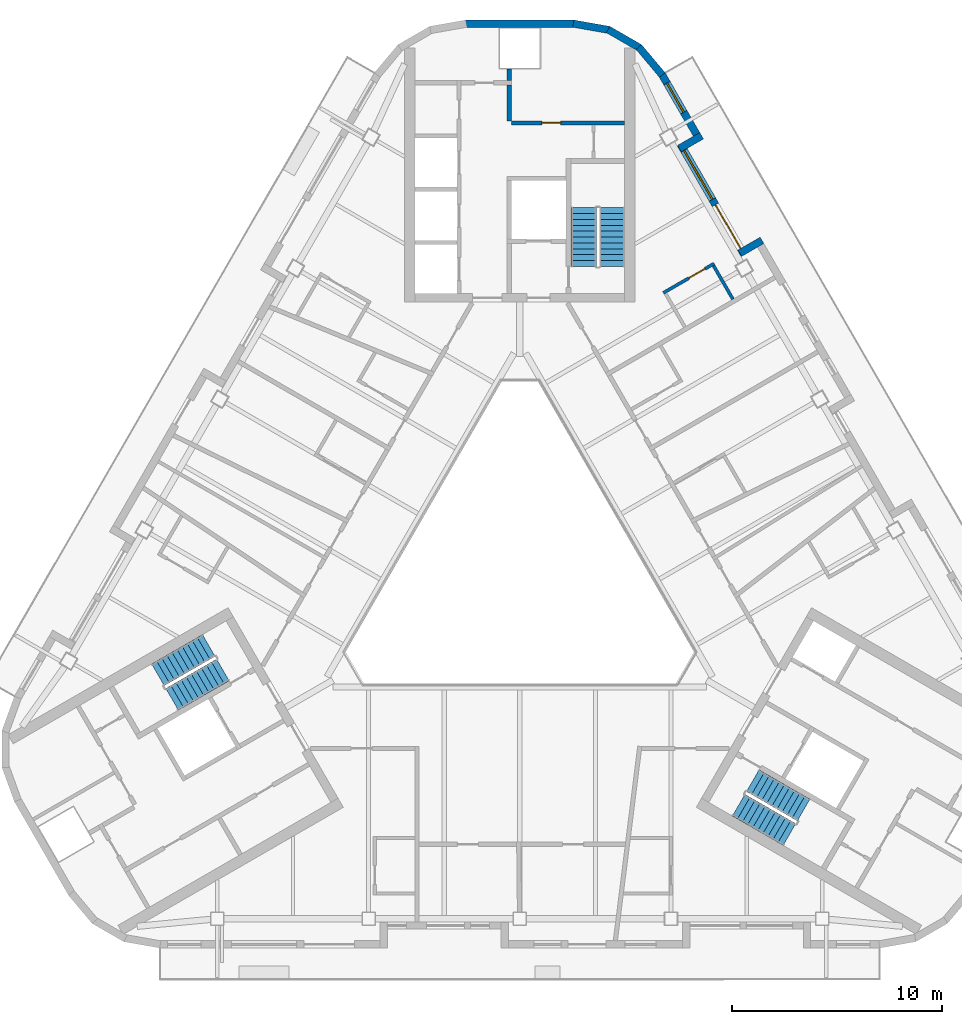
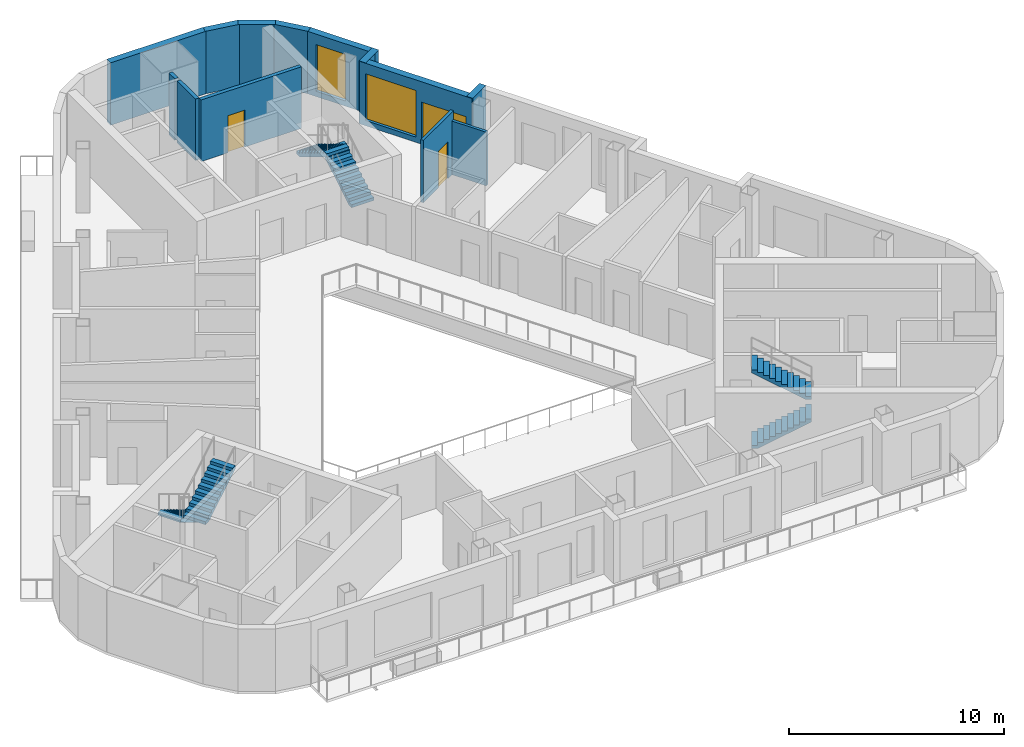
# One storey, part 8 of 13: 13 walls, 6 stair flights, 3 doors, 2 windows, 5 openings, 3 elements without a shape of their own.
"""IFC4 building model written with IfcOpenShell, lengths in metres."""

import ifcopenshell
import ifcopenshell.guid

model = None  # the IFC model being written
_history = None  # IfcOwnerHistory: only IFC2X3 demands one
_inside = {}  # id of a spatial element -> (the spatial element, [elements in it])
_under = {}  # id of a project, library or spatial element -> (it, [spatial elements below it])
_declared = {}  # id of a project -> (the project, [libraries it declares])
_typed = {}  # id of a type object -> (the type object, [elements of that type])
_made_of = {}  # id of a material, layer set ... -> (it, [elements and type objects made of it])


def new_model(schema):
    """Start an empty IFC model of exactly this schema.

    Asked for "IFC4X3", IfcOpenShell would pick the latest addendum, in which some entities
    have other attributes; the version numbers below select the first issue.
    IFC2X3 requires an IfcOwnerHistory on every rooted entity: one is made here for all.
    """
    global model, _history
    if schema == "IFC4X3":
        model = ifcopenshell.file(schema_version=(4, 3, 0, 0))
    else:
        model = ifcopenshell.file(schema=schema)
    _inside.clear()
    _under.clear()
    _declared.clear()
    _typed.clear()
    _made_of.clear()
    _history = None
    if model.schema == "IFC2X3":
        org = make("IfcOrganization", Name="unknown")
        user = make(
            "IfcPersonAndOrganization",
            ThePerson=make("IfcPerson", FamilyName="unknown"),
            TheOrganization=org,
        )
        app = make(
            "IfcApplication",
            ApplicationDeveloper=org,
            Version="unknown",
            ApplicationFullName="unknown",
            ApplicationIdentifier="unknown",
        )
        _history = make(
            "IfcOwnerHistory",
            OwningUser=user,
            OwningApplication=app,
            ChangeAction="ADDED",
            CreationDate=0,
        )
    return model


def make(cls, **values):
    """One entity of the class cls with the attributes given. An attribute that is None is left unset."""
    return model.create_entity(
        cls, **{name: value for name, value in values.items() if value is not None}
    )


def rooted(cls, **values):
    """An entity with a GlobalId (a new one), such as an element, a storey or a relation."""
    return make(cls, GlobalId=ifcopenshell.guid.new(), OwnerHistory=_history, **values)


def si_unit(unit_type, name, prefix=None):
    """IfcSIUnit, for example si_unit("LENGTHUNIT", "METRE", prefix="MILLI")."""
    return make("IfcSIUnit", UnitType=unit_type, Prefix=prefix, Name=name)


def assignment(units):
    """IfcUnitAssignment: the units of a project."""
    return None if units is None else make("IfcUnitAssignment", Units=units)


def point(xyz):
    """IfcCartesianPoint."""
    return None if xyz is None else make("IfcCartesianPoint", Coordinates=xyz)


def direction(xyz):
    """IfcDirection."""
    return None if xyz is None else make("IfcDirection", DirectionRatios=xyz)


def frame(location, z_axis=None, x_axis=None):
    """IfcAxis2Placement3D, a coordinate frame: its origin and axes. An axis left out is left unset."""
    return make(
        "IfcAxis2Placement3D",
        Location=point(location),
        Axis=direction(z_axis),
        RefDirection=direction(x_axis),
    )


def frame_2d(location, x_axis=None):
    """IfcAxis2Placement2D, a coordinate frame in the plane: its origin and x axis."""
    return make(
        "IfcAxis2Placement2D", Location=point(location), RefDirection=direction(x_axis)
    )


def origin():
    """The frame at (0, 0, 0) with its axes left unset."""
    return frame((0.0, 0.0, 0.0))


def place(relative_to, where):
    """IfcLocalPlacement: puts the frame where relative to a parent placement (None: the world)."""
    return make(
        "IfcLocalPlacement", PlacementRelTo=relative_to, RelativePlacement=where
    )


def context(
    kind, dimensions, precision=None, world=None, true_north=None, identifier=None
):
    """IfcGeometricRepresentationContext, for example the 3D "Model" context."""
    return make(
        "IfcGeometricRepresentationContext",
        ContextIdentifier=identifier,
        ContextType=kind,
        CoordinateSpaceDimension=dimensions,
        Precision=precision,
        WorldCoordinateSystem=world,
        TrueNorth=true_north,
    )


def subcontext(parent, identifier, kind, view, scale=None):
    """IfcGeometricRepresentationSubContext, for example "Body" below "Model"."""
    return make(
        "IfcGeometricRepresentationSubContext",
        ContextIdentifier=identifier,
        ContextType=kind,
        ParentContext=parent,
        TargetScale=scale,
        TargetView=view,
    )


def project(units=None, contexts=None):
    """IfcProject with its units and contexts."""
    return rooted(
        "IfcProject",
        Name="project",
        RepresentationContexts=contexts,
        UnitsInContext=assignment(units),
    )


def spatial(cls, under=None, at=None, **own):
    """A site, building, storey or space (cls), placed at a placement, below another one or the project."""
    s = rooted(cls, ObjectPlacement=at, **own)
    if under is not None:
        _under.setdefault(under.id(), (under, []))[1].append(s)
    return s


def polyline(points):
    """IfcPolyline through the points."""
    return make("IfcPolyline", Points=[point(p) for p in points])


def profile(cls, at=None, kind="AREA", **sizes):
    """A parametric profile (cls). Its sizes go by their IFC names, for example OverallWidth=200.0."""
    return make(cls, ProfileType=kind, Position=at, **sizes)


def rectangle(**sizes):
    """IfcRectangleProfileDef."""
    return profile("IfcRectangleProfileDef", **sizes)


def outline(outer, holes=None, kind="AREA"):
    """IfcArbitraryClosedProfileDef: a profile drawn as a closed curve; with holes, ...WithVoids."""
    if holes is None:
        return make("IfcArbitraryClosedProfileDef", ProfileType=kind, OuterCurve=outer)
    return make(
        "IfcArbitraryProfileDefWithVoids",
        ProfileType=kind,
        OuterCurve=outer,
        InnerCurves=holes,
    )


def extrude(swept, where, along, depth):
    """IfcExtrudedAreaSolid: the profile swept, set in the frame where, extruded along a direction by depth."""
    return make(
        "IfcExtrudedAreaSolid",
        SweptArea=swept,
        Position=where,
        ExtrudedDirection=direction(along),
        Depth=depth,
    )


def shape(context_of_items, identifier, shape_type, items):
    """IfcShapeRepresentation: the items that make up one representation, for example the "Body"."""
    return make(
        "IfcShapeRepresentation",
        ContextOfItems=context_of_items,
        RepresentationIdentifier=identifier,
        RepresentationType=shape_type,
        Items=items,
    )


def material(Name=None, Category=None):
    """IfcMaterial."""
    return make("IfcMaterial", Name=Name, Category=Category)


def layer(
    of_material, thickness, ventilated=None, Name=None, Category=None, Priority=None
):
    """IfcMaterialLayer: one layer of a wall or slab, of a material (None: an air gap)."""
    return make(
        "IfcMaterialLayer",
        Material=of_material,
        LayerThickness=thickness,
        IsVentilated=ventilated,
        Name=Name,
        Category=Category,
        Priority=Priority,
    )


def layer_set(layers, Name=None):
    """IfcMaterialLayerSet."""
    return make("IfcMaterialLayerSet", MaterialLayers=layers, LayerSetName=Name)


def made_of(thing, what):
    """Note that an element or type object is made of a material, layer set ...; save() writes the relation."""
    if what is not None:
        _made_of.setdefault(what.id(), (what, []))[1].append(thing)
    return thing


def type_object(cls, material=None, **own):
    """A type object (cls), such as IfcWallType, which elements share."""
    return made_of(rooted(cls, **own), material)


def element(
    cls,
    number,
    at=None,
    inside=None,
    cuts=None,
    type_object=None,
    material=None,
    context=None,
    identifier="Body",
    shape_type=None,
    held_by="IfcProductDefinitionShape",
    body=None,
    shapes=None,
    **own,
):
    """One element of the class cls, such as IfcWall. Its Tag is "e" and its number.

    at: its placement. inside: the storey or other place that contains it. cuts: it is an
    opening in that element (IfcRelVoidsElement). A single representation is given by context,
    identifier, shape_type and body (its items); several are given by shapes. held_by: the class
    of the entity that holds the representations. save() writes the other relations.
    """
    e = rooted(cls, Tag="e%d" % number, ObjectPlacement=at, **own)
    if body is not None:
        shapes = [shape(context, identifier, shape_type, body)]
    if shapes is not None:
        e.Representation = make(held_by, Representations=shapes)
    if inside is not None:
        _inside.setdefault(inside.id(), (inside, []))[1].append(e)
    if cuts is not None:
        rooted(
            "IfcRelVoidsElement", RelatingBuildingElement=cuts, RelatedOpeningElement=e
        )
    if type_object is not None:
        _typed.setdefault(type_object.id(), (type_object, []))[1].append(e)
    return made_of(e, material)


def fill(opening, filler):
    """IfcRelFillsElement: the door or window that sits in an opening."""
    return rooted(
        "IfcRelFillsElement",
        RelatingOpeningElement=opening,
        RelatedBuildingElement=filler,
    )


def aggregate(whole, parts):
    """IfcRelAggregates: a whole, such as a stair, and the parts it consists of."""
    return rooted("IfcRelAggregates", RelatingObject=whole, RelatedObjects=parts)


def save(model, path):
    """Write the relations noted so far, then the file.

    IfcRelAggregates (storeys below a building ...), IfcRelContainedInSpatialStructure (elements
    in a storey), IfcRelDefinesByType, IfcRelAssociatesMaterial and IfcRelDeclares: one each for
    every whole, place, type object, material and project.
    """
    for whole, parts in _under.values():
        aggregate(whole, parts)
    for where, things in _inside.values():
        rooted(
            "IfcRelContainedInSpatialStructure",
            RelatedElements=things,
            RelatingStructure=where,
        )
    for kind, things in _typed.values():
        rooted("IfcRelDefinesByType", RelatedObjects=things, RelatingType=kind)
    for what, things in _made_of.values():
        rooted("IfcRelAssociatesMaterial", RelatedObjects=things, RelatingMaterial=what)
    for by, libraries in _declared.values():
        rooted("IfcRelDeclares", RelatingContext=by, RelatedDefinitions=libraries)
    model.write(path)


model = new_model("IFC4")

# Units and contexts
model_context = context("Model", 3, precision=1e-05, world=origin(), true_north=direction((0.0, 1.0)))
body_context = subcontext(model_context, "Body", "Model", "MODEL_VIEW")
ifc_project = project(units=[si_unit("LENGTHUNIT", "METRE"), si_unit("AREAUNIT", "SQUARE_METRE"), si_unit("VOLUMEUNIT", "CUBIC_METRE"), si_unit("PLANEANGLEUNIT", "RADIAN"), si_unit("MASSUNIT", "GRAM", prefix="KILO")], contexts=[model_context])

# Site, building, storey
site_placement = place(None, origin())
site = spatial("IfcSite", under=ifc_project, at=site_placement, CompositionType="ELEMENT")
building_placement = place(site_placement, origin())
building = spatial("IfcBuilding", under=site, at=building_placement, Name="Apuvela Tower Hotel", CompositionType="ELEMENT")
storey_placement = place(building_placement, frame((0.0, 0.0, 283.699951171875)))
storey = spatial("IfcBuildingStorey", under=building, at=storey_placement, Name="L70", CompositionType="ELEMENT", Elevation=283.699951171875)

# Wall, opening, door
ifc_material_1 = material(Name="Blockwork 200 mm plastered", Category="masonry")
ifc_layer_1 = layer(ifc_material_1, 0.199951171875)
ifc_layer_set_1 = layer_set([ifc_layer_1], Name="COR-WALL-PART-200")
wall_type_1 = type_object("IfcWallType", Name="COR-WALL-PART-200", PredefinedType="PARTITIONING", material=ifc_layer_set_1)
wall_1_placement = place(storey_placement, frame((5.0, 21.449951171875, 0.0), z_axis=(0.0, 0.0, 1.0), x_axis=(-1.0, 0.0, 0.0)))
wall_1 = element("IfcWall", 1, at=wall_1_placement, inside=storey, type_object=wall_type_1, Name="Partition N", PredefinedType="PARTITIONING", context=body_context, shape_type="SweptSolid", body=[
    extrude(rectangle(XDim=5.39990234375, YDim=0.199951171875, at=frame_2d((2.699951171875, 0.0))), origin(), (0.0, 0.0, 1.0), 3.5),
])
opening_1_placement = place(wall_1_placement, frame((3.050048828125, 0.0, 0.0)))
opening_1 = element("IfcOpeningElement", 2, at=opening_1_placement, cuts=wall_1, Name="Opening N-RS1", PredefinedType="OPENING", context=body_context, shape_type="SweptSolid", body=[
    extrude(rectangle(XDim=0.89990234375, YDim=2.10009765625, at=frame_2d((0.449951171875, 1.050048828125))), frame((0.0, 0.10986328125, 0.0), z_axis=(0.0, -1.0, 0.0), x_axis=(1.0, 0.0, 0.0)), (0.0, 0.0, 1.0), 0.219970703125),
])
ifc_material_2 = material(Name="Steel fire door, powder coated", Category="steel")
door_type_1 = type_object("IfcDoorType", Name="COR-DR-900", OperationType="NOTDEFINED", PredefinedType="DOOR", material=ifc_material_2)
door_1_placement = place(opening_1_placement, frame((0.89990234375, 0.0, 0.0), z_axis=(0.0, 0.0, 1.0), x_axis=(-1.0, 0.0, 0.0)))
door_1 = element("IfcDoor", 3, at=door_1_placement, inside=storey, type_object=door_type_1, Name="Store door N-RS1", OperationType="SINGLE_SWING_LEFT", OverallHeight=2.10009765625, OverallWidth=0.89990234375, PredefinedType="DOOR", context=body_context, shape_type="SweptSolid", body=[
    extrude(rectangle(XDim=0.89990234375, YDim=2.10009765625, at=frame_2d((0.449951171875, 1.050048828125))), frame((0.0, 0.02490234375, 0.0), z_axis=(0.0, -1.0, 0.0), x_axis=(1.0, 0.0, 0.0)), (0.0, 0.0, 1.0), 0.050048828125),
])
fill(opening_1, door_1)

# Walls
ifc_material_3 = material(Name="Concrete C50/60", Category="concrete")
ifc_layer_2 = layer(ifc_material_3, 0.199951171875)
ifc_layer_set_2 = layer_set([ifc_layer_2], Name="COR-WALL-SHAFT-200")
wall_type_2 = type_object("IfcWallType", Name="COR-WALL-SHAFT-200", PredefinedType="SHEAR", material=ifc_layer_set_2)
wall_2_placement = place(storey_placement, frame((-0.5, 21.550048828125, 0.0), z_axis=(0.0, 0.0, 1.0), x_axis=(0.0, 1.0, 0.0)))
element("IfcWall", 4, at=wall_2_placement, inside=storey, type_object=wall_type_2, Name="Shaft wall N", PredefinedType="SHEAR", context=body_context, shape_type="SweptSolid", body=[
    extrude(rectangle(XDim=1.7099609375, YDim=0.199951171875, at=frame_2d((0.85498046875, 0.0))), origin(), (0.0, 0.0, 1.0), 3.5),
])
wall_3_placement = place(storey_placement, frame((-0.5, 23.4599609375, 0.0), z_axis=(0.0, 0.0, 1.0), x_axis=(0.0, 1.0, 0.0)))
element("IfcWall", 5, at=wall_3_placement, inside=storey, type_object=wall_type_2, Name="Shaft wall N", PredefinedType="SHEAR", context=body_context, shape_type="SweptSolid", body=[
    extrude(rectangle(XDim=0.548828125, YDim=0.199951171875, at=frame_2d((0.2744140625, 0.0))), origin(), (0.0, 0.0, 1.0), 3.5),
])
ifc_material_4 = material(Name="Concrete C40/50, dark pigmented precast panel", Category="concrete")
ifc_layer_3 = layer(ifc_material_4, 0.35009765625)
ifc_layer_set_3 = layer_set([ifc_layer_3], Name="ENV-WALL-350")
wall_type_3 = type_object("IfcWallType", Name="ENV-WALL-350", PredefinedType="SOLIDWALL", material=ifc_layer_set_3)
wall_4_placement = place(storey_placement, frame((11.556640625, 15.841064453125, 0.0), z_axis=(0.0, 0.0, 1.0), x_axis=(-0.866005645448, -0.500034220881, 0.0)))
element("IfcWall", 6, at=wall_4_placement, inside=storey, type_object=wall_type_3, Name="External wall L70-38", PredefinedType="SOLIDWALL", context=body_context, shape_type="SweptSolid", body=[
    extrude(rectangle(XDim=1.22021484375, YDim=0.35009765625, at=frame_2d((0.610107421875, 0.0))), origin(), (0.0, 0.0, 1.0), 3.550048828125),
])

# Wall, openings, door, window
wall_5_placement = place(storey_placement, frame((10.697998046875, 15.177978515625, 0.0), z_axis=(0.0, 0.0, 1.0), x_axis=(-0.499985371027, 0.866033849661, 0.0)))
wall_5 = element("IfcWall", 7, at=wall_5_placement, inside=storey, type_object=wall_type_3, Name="External wall L70-39", PredefinedType="SOLIDWALL", context=body_context, shape_type="SweptSolid", body=[
    extrude(rectangle(XDim=6.055419921875, YDim=0.35009765625, at=frame_2d((3.02783203125, 0.0))), origin(), (0.0, 0.0, 1.0), 3.550048828125),
])
opening_2_placement = place(wall_5_placement, frame((0.320068359375, 0.0, 0.0)))
opening_2 = element("IfcOpeningElement", 8, at=opening_2_placement, cuts=wall_5, Name="Opening BD24", PredefinedType="OPENING", context=body_context, shape_type="SweptSolid", body=[
    extrude(rectangle(XDim=2.39990234375, YDim=2.39990234375, at=frame_2d((1.199951171875, 1.199951171875))), frame((0.0, 0.18505859375, 0.0), z_axis=(0.0, -1.0, 0.0), x_axis=(1.0, 0.0, 0.0)), (0.0, 0.0, 1.0), 0.3701171875),
])
opening_3_placement = place(wall_5_placement, frame((3.02001953125, 0.0, 0.300048828125)))
opening_3 = element("IfcOpeningElement", 9, at=opening_3_placement, cuts=wall_5, Name="Opening WN27", PredefinedType="OPENING", context=body_context, shape_type="SweptSolid", body=[
    extrude(rectangle(XDim=2.699951171875, YDim=2.64990234375, at=frame_2d((1.35009765625, 1.324951171875))), frame((0.0, 0.18505859375, 0.0), z_axis=(0.0, -1.0, 0.0), x_axis=(1.0, 0.0, 0.0)), (0.0, 0.0, 1.0), 0.3701171875),
])
ifc_material_5 = material(Name="Aluminium 6063-T6, dark bronze anodised frame with dark tinted laminated glass", Category="aluminium")
door_type_2 = type_object("IfcDoorType", Name="ENV-DOOR-BALCONY-2400x2400", OperationType="SLIDING_TO_LEFT", PredefinedType="DOOR", material=ifc_material_5)
door_2_placement = place(opening_2_placement, frame((2.39990234375, 0.0, 0.0), z_axis=(0.0, 0.0, 1.0), x_axis=(-1.0, 0.0, 0.0)))
door_2 = element("IfcDoor", 10, at=door_2_placement, inside=storey, type_object=door_type_2, Name="Balcony door BD24", OperationType="SLIDING_TO_LEFT", OverallHeight=2.39990234375, OverallWidth=2.39990234375, PredefinedType="DOOR", context=body_context, shape_type="SweptSolid", body=[
    extrude(rectangle(XDim=2.39990234375, YDim=2.39990234375, at=frame_2d((1.199951171875, 1.199951171875))), frame((0.0, 0.02490234375, 0.0), z_axis=(0.0, -1.0, 0.0), x_axis=(1.0, 0.0, 0.0)), (0.0, 0.0, 1.0), 0.050048828125),
])
fill(opening_2, door_2)
ifc_material_6 = material(Name="Glass, dark tinted laminated insulated glazing unit", Category="glass")
window_type_1 = type_object("IfcWindowType", Name="ENV-WIN-2700x2650", PartitioningType="SINGLE_PANEL", PredefinedType="WINDOW", material=ifc_material_6)
window_1_placement = place(opening_3_placement, origin())
window_1 = element("IfcWindow", 11, at=window_1_placement, inside=storey, type_object=window_type_1, Name="Window WN27", OverallHeight=2.64990234375, OverallWidth=2.699951171875, PartitioningType="SINGLE_PANEL", PredefinedType="WINDOW", context=body_context, shape_type="SweptSolid", body=[
    extrude(rectangle(XDim=2.699951171875, YDim=2.64990234375, at=frame_2d((1.35009765625, 1.324951171875))), frame((0.0, 0.030029296875, 0.0), z_axis=(0.0, -1.0, 0.0), x_axis=(1.0, 0.0, 0.0)), (0.0, 0.0, 1.0), 0.06005859375),
])
fill(opening_3, window_1)

# Wall
wall_6_placement = place(storey_placement, frame((7.6171875, 20.223876953125, 0.0), z_axis=(0.0, 0.0, 1.0), x_axis=(0.866005645448, 0.500034220881, 0.0)))
element("IfcWall", 12, at=wall_6_placement, inside=storey, type_object=wall_type_3, Name="External wall L70-40", PredefinedType="SOLIDWALL", context=body_context, shape_type="SweptSolid", body=[
    extrude(rectangle(XDim=1.22021484375, YDim=0.35009765625, at=frame_2d((0.610107421875, 0.0))), origin(), (0.0, 0.0, 1.0), 3.550048828125),
])

# Wall, opening, window
wall_7_placement = place(storey_placement, frame((8.60986328125, 20.5947265625, 0.0), z_axis=(0.0, 0.0, 1.0), x_axis=(-0.499990402704, 0.866030944715, 0.0)))
wall_7 = element("IfcWall", 13, at=wall_7_placement, inside=storey, type_object=wall_type_3, Name="External wall L70-41", PredefinedType="SOLIDWALL", context=body_context, shape_type="SweptSolid", body=[
    extrude(rectangle(XDim=3.654296875, YDim=0.35009765625, at=frame_2d((1.8271484375, 0.0))), origin(), (0.0, 0.0, 1.0), 3.550048828125),
])
opening_4_placement = place(wall_7_placement, frame((1.5751953125, 0.0, 0.300048828125)))
opening_4 = element("IfcOpeningElement", 14, at=opening_4_placement, cuts=wall_7, Name="Opening WN16", PredefinedType="OPENING", context=body_context, shape_type="SweptSolid", body=[
    extrude(rectangle(XDim=1.60009765625, YDim=2.64990234375, at=frame_2d((0.800048828125, 1.324951171875))), frame((0.0, 0.18505859375, 0.0), z_axis=(0.0, -1.0, 0.0), x_axis=(1.0, 0.0, 0.0)), (0.0, 0.0, 1.0), 0.3701171875),
])
window_type_2 = type_object("IfcWindowType", Name="ENV-WIN-1600x2650", PartitioningType="SINGLE_PANEL", PredefinedType="WINDOW", material=ifc_material_6)
window_2_placement = place(opening_4_placement, origin())
window_2 = element("IfcWindow", 15, at=window_2_placement, inside=storey, type_object=window_type_2, Name="Window WN16", OverallHeight=2.64990234375, OverallWidth=1.60009765625, PartitioningType="SINGLE_PANEL", PredefinedType="WINDOW", context=body_context, shape_type="SweptSolid", body=[
    extrude(rectangle(XDim=1.60009765625, YDim=2.64990234375, at=frame_2d((0.800048828125, 1.324951171875))), frame((0.0, 0.030029296875, 0.0), z_axis=(0.0, -1.0, 0.0), x_axis=(1.0, 0.0, 0.0)), (0.0, 0.0, 1.0), 0.06005859375),
])
fill(opening_4, window_2)

# Walls
for number, where, z_axis, x_axis, name in (
    (16, (6.800048828125, 23.734619140625, 0.0), (0.0, 0.0, 1.0), (-0.642768607723, 0.766060387258, 0.0), "External wall L70-42"),
    (17, (5.725341796875, 25.031982421875, 0.0), (0.0, 0.0, 1.0), (-0.866038783226, 0.499976825411, 0.0), "External wall L70-43"),
    (18, (4.271484375, 25.883544921875, 0.0), (0.0, 0.0, 1.0), (-0.984803276474, 0.173673563465, 0.0), "External wall L70-44"),
):
    element("IfcWall", number, at=place(storey_placement, frame(where, z_axis=z_axis, x_axis=x_axis)), inside=storey, type_object=wall_type_3, Name=name, PredefinedType="SOLIDWALL", context=body_context, shape_type="SweptSolid", body=[
        extrude(rectangle(XDim=1.74462890625, YDim=0.35009765625, at=frame_2d((0.872314453125, 0.0))), origin(), (0.0, 0.0, 1.0), 3.550048828125),
    ])
wall_8_placement = place(storey_placement, frame((2.583740234375, 26.183837890625, 0.0), z_axis=(0.0, 0.0, 1.0), x_axis=(-1.0, 0.0, 0.0)))
element("IfcWall", 19, at=wall_8_placement, inside=storey, type_object=wall_type_3, Name="External wall L70-45", PredefinedType="SOLIDWALL", context=body_context, shape_type="SweptSolid", body=[
    extrude(rectangle(XDim=5.16748046875, YDim=0.35009765625, at=frame_2d((2.583740234375, 0.0))), origin(), (0.0, 0.0, 1.0), 3.550048828125),
])

# Wall, opening, door
ifc_material_7 = material(Name="Moisture-resistant gypsum board wet wall on steel stud", Category="steel")
ifc_layer_4 = layer(ifc_material_7, 0.14990234375)
ifc_layer_set_4 = layer_set([ifc_layer_4], Name="GST-PW3")
wall_type_4 = type_object("IfcWallType", Name="GST-PW3", PredefinedType="PARTITIONING", material=ifc_layer_set_4)
wall_9_placement = place(storey_placement, frame((9.2744140625, 14.736572265625, 0.0), z_axis=(0.0, 0.0, 1.0), x_axis=(-0.866018616679, -0.500011755427, 0.0)))
wall_9 = element("IfcWall", 20, at=wall_9_placement, inside=storey, type_object=wall_type_4, Name="L70 partition 36", PredefinedType="PARTITIONING", context=body_context, shape_type="SweptSolid", body=[
    extrude(rectangle(XDim=2.80029296875, YDim=0.14990234375, at=frame_2d((1.400146484375, 0.0))), origin(), (0.0, 0.0, 1.0), 3.550048828125),
])
opening_5_placement = place(wall_9_placement, frame((0.5, 0.0, 0.0)))
opening_5 = element("IfcOpeningElement", 21, at=opening_5_placement, cuts=wall_9, Name="Opening GD28-15", PredefinedType="OPENING", context=body_context, shape_type="SweptSolid", body=[
    extrude(rectangle(XDim=0.89990234375, YDim=2.10009765625, at=frame_2d((0.449951171875, 1.050048828125))), frame((0.0, 0.0849609375, 0.0), z_axis=(0.0, -1.0, 0.0), x_axis=(1.0, 0.0, 0.0)), (0.0, 0.0, 1.0), 0.169921875),
])
ifc_material_8 = material(Name="Timber door leaf in steel frame", Category="steel")
door_type_3 = type_object("IfcDoorType", Name="GST-D2", OperationType="NOTDEFINED", PredefinedType="DOOR", material=ifc_material_8)
door_3_placement = place(opening_5_placement, origin())
door_3 = element("IfcDoor", 22, at=door_3_placement, inside=storey, type_object=door_type_3, Name="Door L70-15", OperationType="SINGLE_SWING_LEFT", OverallHeight=2.10009765625, OverallWidth=0.89990234375, PredefinedType="DOOR", context=body_context, shape_type="SweptSolid", body=[
    extrude(rectangle(XDim=0.89990234375, YDim=2.10009765625, at=frame_2d((0.449951171875, 1.050048828125))), frame((0.0, 0.02490234375, 0.0), z_axis=(0.0, -1.0, 0.0), x_axis=(1.0, 0.0, 0.0)), (0.0, 0.0, 1.0), 0.050048828125),
])
fill(opening_5, door_3)

# Wall
wall_10_placement = place(storey_placement, frame((10.171875, 13.031982421875, 0.0), z_axis=(0.0, 0.0, 1.0), x_axis=(-0.500042316284, 0.866000971088, 0.0)))
element("IfcWall", 23, at=wall_10_placement, inside=storey, type_object=wall_type_4, Name="L70 partition 37", PredefinedType="PARTITIONING", context=body_context, shape_type="SweptSolid", body=[
    extrude(rectangle(XDim=1.849853515625, YDim=0.14990234375, at=frame_2d((0.9248046875, 0.0))), origin(), (0.0, 0.0, 1.0), 3.050048828125),
])

# Stair, stair flights
stair_type = type_object("IfcStairType", Name="COR-STAIR-22R", PredefinedType="HALF_TURN_STAIR", material=ifc_material_3)
stair_1_placement = place(storey_placement, origin())
stair_1 = element("IfcStair", 24, at=stair_1_placement, inside=storey, type_object=stair_type, Name="L70 Exit stair ST1", PredefinedType="HALF_TURN_STAIR")
stair_flight_type = type_object("IfcStairFlightType", Name="COR-FLIGHT-11R", PredefinedType="STRAIGHT", material=ifc_material_3)
stair_flight_1_placement = place(storey_placement, frame((4.39990234375, 14.60009765625, 0.0), z_axis=(0.0, 0.0, 1.0), x_axis=(0.0, 1.0, 0.0)))
stair_flight_1 = element("IfcStairFlight", 25, at=stair_flight_1_placement, type_object=stair_flight_type, Name="ST1 flight 1", NumberOfRisers=11, NumberOfTreads=10, PredefinedType="STRAIGHT", RiserHeight=0.168181818, TreadLength=0.28, context=body_context, shape_type="SweptSolid", body=[
    extrude(outline(polyline([(0.0, 0.0), (0.0, 0.168212890625), (0.280029296875, 0.168212890625), (0.280029296875, 0.33642578125), (0.56005859375, 0.33642578125), (0.56005859375, 0.504638671875), (0.840087890625, 0.504638671875), (0.840087890625, 0.672607421875), (1.1201171875, 0.672607421875), (1.1201171875, 0.8408203125), (1.39990234375, 0.8408203125), (1.39990234375, 1.009033203125), (1.679931640625, 1.009033203125), (1.679931640625, 1.17724609375), (1.9599609375, 1.17724609375), (1.9599609375, 1.345458984375), (2.239990234375, 1.345458984375), (2.239990234375, 1.513671875), (2.52001953125, 1.513671875), (2.52001953125, 1.681884765625), (2.800048828125, 1.681884765625), (2.800048828125, 1.85009765625), (2.800048828125, 1.5068359375), (0.291015625, 0.0), (0.0, 0.0)])), frame((0.0, 0.60009765625, 0.0), z_axis=(0.0, -1.0, 0.0), x_axis=(1.0, 0.0, 0.0)), (0.0, 0.0, 1.0), 1.199951171875),
])
stair_flight_2_placement = place(storey_placement, frame((3.050048828125, 17.39990234375, 1.85009765625), z_axis=(0.0, 0.0, 1.0), x_axis=(0.0, -1.0, 0.0)))
stair_flight_2 = element("IfcStairFlight", 26, at=stair_flight_2_placement, type_object=stair_flight_type, Name="ST1 flight 2", NumberOfRisers=11, NumberOfTreads=10, PredefinedType="STRAIGHT", RiserHeight=0.168181818, TreadLength=0.28, context=body_context, shape_type="SweptSolid", body=[
    extrude(outline(polyline([(0.0, 0.0), (0.0, 0.168212890625), (0.280029296875, 0.168212890625), (0.280029296875, 0.33642578125), (0.56005859375, 0.33642578125), (0.56005859375, 0.504638671875), (0.840087890625, 0.504638671875), (0.840087890625, 0.672607421875), (1.1201171875, 0.672607421875), (1.1201171875, 0.8408203125), (1.39990234375, 0.8408203125), (1.39990234375, 1.009033203125), (1.679931640625, 1.009033203125), (1.679931640625, 1.17724609375), (1.9599609375, 1.17724609375), (1.9599609375, 1.345458984375), (2.239990234375, 1.345458984375), (2.239990234375, 1.513671875), (2.52001953125, 1.513671875), (2.52001953125, 1.681884765625), (2.800048828125, 1.681884765625), (2.800048828125, 1.85009765625), (2.800048828125, 1.5068359375), (0.291015625, 0.0), (0.0, 0.0)])), frame((0.0, 0.60009765625, 0.0), z_axis=(0.0, -1.0, 0.0), x_axis=(1.0, 0.0, 0.0)), (0.0, 0.0, 1.0), 1.199951171875),
])
aggregate(stair_1, [stair_flight_1, stair_flight_2])

stair_2_placement = place(storey_placement, origin())
stair_2 = element("IfcStair", 27, at=stair_2_placement, inside=storey, type_object=stair_type, Name="L70 Exit stair ST2", PredefinedType="HALF_TURN_STAIR")
stair_flight_3_placement = place(storey_placement, frame((-14.843994140625, -3.489501953125, 0.0), z_axis=(0.0, 0.0, 1.0), x_axis=(-0.866025403784, -0.5, 0.0)))
stair_flight_3 = element("IfcStairFlight", 28, at=stair_flight_3_placement, type_object=stair_flight_type, Name="ST2 flight 1", NumberOfRisers=11, NumberOfTreads=10, PredefinedType="STRAIGHT", RiserHeight=0.168181818, TreadLength=0.28, context=body_context, shape_type="SweptSolid", body=[
    extrude(outline(polyline([(0.0, 0.0), (0.0, 0.168212890625), (0.280029296875, 0.168212890625), (0.280029296875, 0.33642578125), (0.56005859375, 0.33642578125), (0.56005859375, 0.504638671875), (0.840087890625, 0.504638671875), (0.840087890625, 0.672607421875), (1.1201171875, 0.672607421875), (1.1201171875, 0.8408203125), (1.39990234375, 0.8408203125), (1.39990234375, 1.009033203125), (1.679931640625, 1.009033203125), (1.679931640625, 1.17724609375), (1.9599609375, 1.17724609375), (1.9599609375, 1.345458984375), (2.239990234375, 1.345458984375), (2.239990234375, 1.513671875), (2.52001953125, 1.513671875), (2.52001953125, 1.681884765625), (2.800048828125, 1.681884765625), (2.800048828125, 1.85009765625), (2.800048828125, 1.5068359375), (0.291015625, 0.0), (0.0, 0.0)])), frame((0.0, 0.60009765625, 0.0), z_axis=(0.0, -1.0, 0.0), x_axis=(1.0, 0.0, 0.0)), (0.0, 0.0, 1.0), 1.199951171875),
])
stair_flight_4_placement = place(storey_placement, frame((-16.59375, -6.05859375, 1.85009765625), z_axis=(0.0, 0.0, 1.0), x_axis=(0.866025403784, 0.5, 0.0)))
stair_flight_4 = element("IfcStairFlight", 29, at=stair_flight_4_placement, type_object=stair_flight_type, Name="ST2 flight 2", NumberOfRisers=11, NumberOfTreads=10, PredefinedType="STRAIGHT", RiserHeight=0.168181818, TreadLength=0.28, context=body_context, shape_type="SweptSolid", body=[
    extrude(outline(polyline([(0.0, 0.0), (0.0, 0.168212890625), (0.280029296875, 0.168212890625), (0.280029296875, 0.33642578125), (0.56005859375, 0.33642578125), (0.56005859375, 0.504638671875), (0.840087890625, 0.504638671875), (0.840087890625, 0.672607421875), (1.1201171875, 0.672607421875), (1.1201171875, 0.8408203125), (1.39990234375, 0.8408203125), (1.39990234375, 1.009033203125), (1.679931640625, 1.009033203125), (1.679931640625, 1.17724609375), (1.9599609375, 1.17724609375), (1.9599609375, 1.345458984375), (2.239990234375, 1.345458984375), (2.239990234375, 1.513671875), (2.52001953125, 1.513671875), (2.52001953125, 1.681884765625), (2.800048828125, 1.681884765625), (2.800048828125, 1.85009765625), (2.800048828125, 1.5068359375), (0.291015625, 0.0), (0.0, 0.0)])), frame((0.0, 0.60009765625, 0.0), z_axis=(0.0, -1.0, 0.0), x_axis=(1.0, 0.0, 0.0)), (0.0, 0.0, 1.0), 1.199951171875),
])
aggregate(stair_2, [stair_flight_3, stair_flight_4])

stair_3_placement = place(storey_placement, origin())
stair_3 = element("IfcStair", 30, at=stair_3_placement, inside=storey, type_object=stair_type, Name="L70 Exit stair ST3", PredefinedType="HALF_TURN_STAIR")
stair_flight_5_placement = place(storey_placement, frame((10.444091796875, -11.110595703125, 0.0), z_axis=(0.0, 0.0, 1.0), x_axis=(0.866025403784, -0.5, 0.0)))
stair_flight_5 = element("IfcStairFlight", 31, at=stair_flight_5_placement, type_object=stair_flight_type, Name="ST3 flight 1", NumberOfRisers=11, NumberOfTreads=10, PredefinedType="STRAIGHT", RiserHeight=0.168181818, TreadLength=0.28, context=body_context, shape_type="SweptSolid", body=[
    extrude(outline(polyline([(0.0, 0.0), (0.0, 0.168212890625), (0.280029296875, 0.168212890625), (0.280029296875, 0.33642578125), (0.56005859375, 0.33642578125), (0.56005859375, 0.504638671875), (0.840087890625, 0.504638671875), (0.840087890625, 0.672607421875), (1.1201171875, 0.672607421875), (1.1201171875, 0.8408203125), (1.39990234375, 0.8408203125), (1.39990234375, 1.009033203125), (1.679931640625, 1.009033203125), (1.679931640625, 1.17724609375), (1.9599609375, 1.17724609375), (1.9599609375, 1.345458984375), (2.239990234375, 1.345458984375), (2.239990234375, 1.513671875), (2.52001953125, 1.513671875), (2.52001953125, 1.681884765625), (2.800048828125, 1.681884765625), (2.800048828125, 1.85009765625), (2.800048828125, 1.5068359375), (0.291015625, 0.0), (0.0, 0.0)])), frame((0.0, 0.60009765625, 0.0), z_axis=(0.0, -1.0, 0.0), x_axis=(1.0, 0.0, 0.0)), (0.0, 0.0, 1.0), 1.199951171875),
])
stair_flight_6_placement = place(storey_placement, frame((13.5439453125, -11.34130859375, 1.85009765625), z_axis=(0.0, 0.0, 1.0), x_axis=(-0.866025403784, 0.5, 0.0)))
stair_flight_6 = element("IfcStairFlight", 32, at=stair_flight_6_placement, type_object=stair_flight_type, Name="ST3 flight 2", NumberOfRisers=11, NumberOfTreads=10, PredefinedType="STRAIGHT", RiserHeight=0.168181818, TreadLength=0.28, context=body_context, shape_type="SweptSolid", body=[
    extrude(outline(polyline([(0.0, 0.0), (0.0, 0.168212890625), (0.280029296875, 0.168212890625), (0.280029296875, 0.33642578125), (0.56005859375, 0.33642578125), (0.56005859375, 0.504638671875), (0.840087890625, 0.504638671875), (0.840087890625, 0.672607421875), (1.1201171875, 0.672607421875), (1.1201171875, 0.8408203125), (1.39990234375, 0.8408203125), (1.39990234375, 1.009033203125), (1.679931640625, 1.009033203125), (1.679931640625, 1.17724609375), (1.9599609375, 1.17724609375), (1.9599609375, 1.345458984375), (2.239990234375, 1.345458984375), (2.239990234375, 1.513671875), (2.52001953125, 1.513671875), (2.52001953125, 1.681884765625), (2.800048828125, 1.681884765625), (2.800048828125, 1.85009765625), (2.800048828125, 1.5068359375), (0.291015625, 0.0), (0.0, 0.0)])), frame((0.0, 0.60009765625, 0.0), z_axis=(0.0, -1.0, 0.0), x_axis=(1.0, 0.0, 0.0)), (0.0, 0.0, 1.0), 1.199951171875),
])
aggregate(stair_3, [stair_flight_5, stair_flight_6])

save(model, "model.ifc")
